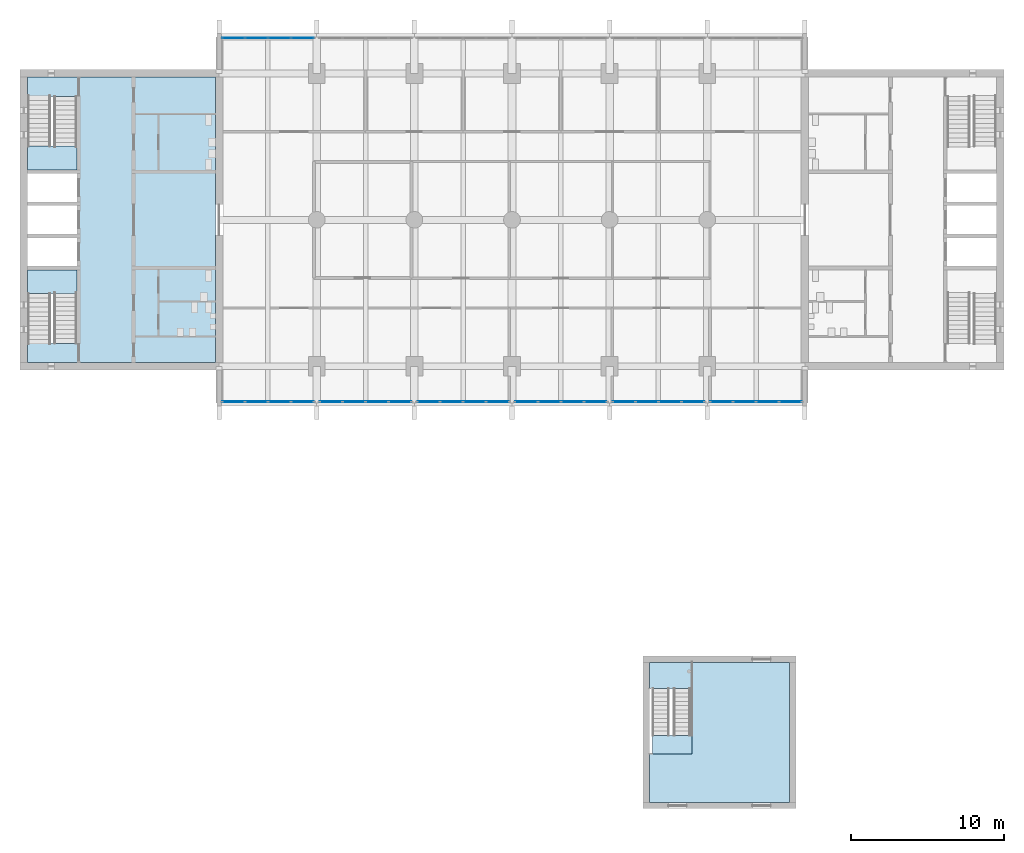
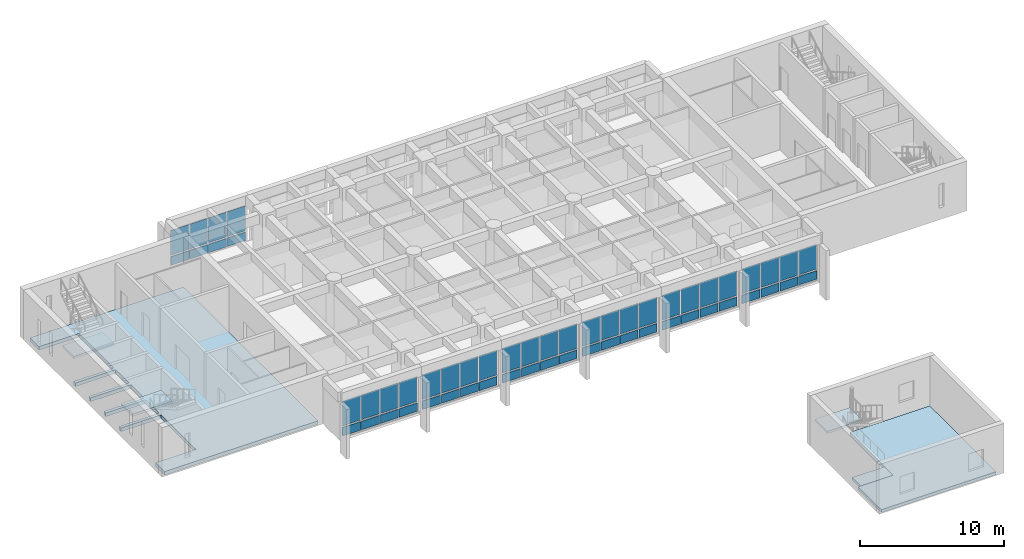
# One storey, part 7 of 18: 56 plates, 6 slabs, 10 elements without a shape of their own.
"""IFC4 building model written with IfcOpenShell, lengths in metres."""

from ifc_helpers import new_model, si_unit, direction, frame, origin, origin_2d, place, context, subcontext, project, spatial, polyline, rectangle, outline, extrude, material, layer, layer_set, type_object, element, aggregate, save


model = new_model("IFC4")

# Units and contexts
model_context = context("Model", 3, precision=1e-05, world=origin(), true_north=direction((0.0, 1.0)))
body_context = subcontext(model_context, "Body", "Model", "MODEL_VIEW")
ifc_project = project(units=[si_unit("LENGTHUNIT", "METRE"), si_unit("AREAUNIT", "SQUARE_METRE"), si_unit("VOLUMEUNIT", "CUBIC_METRE"), si_unit("PLANEANGLEUNIT", "RADIAN"), si_unit("MASSUNIT", "GRAM", prefix="KILO")], contexts=[model_context])

# Site, building, storey
site_placement = place(None, origin())
site = spatial("IfcSite", under=ifc_project, at=site_placement, CompositionType="ELEMENT")
building_placement = place(site_placement, origin())
building = spatial("IfcBuilding", under=site, at=building_placement, Name="Fogon Plaza Fire Station and Headquarters Tower", CompositionType="ELEMENT")
storey_placement = place(building_placement, frame((0.0, 0.0, 12.89990234375)))
storey = spatial("IfcBuildingStorey", under=building, at=storey_placement, Name="L03", CompositionType="ELEMENT", Elevation=12.89990234375)

# Slab
ifc_material_1 = material(Name="Concrete C40", Category="concrete")
ifc_layer_1 = layer(ifc_material_1, 0.300048828125)
ifc_layer_set_1 = layer_set([ifc_layer_1], Name="Concrete C40")
slab_type_1 = type_object("IfcSlabType", Name="Core Floor Slab RC 300", PredefinedType="FLOOR", material=ifc_layer_set_1)
slab_1_placement = place(storey_placement, frame((0.0, 0.0, -0.2998046875)))
element("IfcSlab", 1, at=slab_1_placement, inside=storey, type_object=slab_type_1, Name="Core A floor", PredefinedType="FLOOR", context=body_context, shape_type="SweptSolid", body=[
    extrude(outline(polyline([(13.050048828125, 35.110107421875), (13.050048828125, 33.85009765625), (25.35009765625, 33.85009765625), (25.35009765625, 52.550048828125), (13.050048828125, 52.550048828125), (13.050048828125, 51.2900390625), (16.27490234375, 51.2900390625), (16.27490234375, 46.47509765625), (13.050048828125, 46.47509765625), (13.050048828125, 46.22509765625), (16.27490234375, 46.22509765625), (16.27490234375, 44.375), (13.050048828125, 44.375), (13.050048828125, 44.125), (16.27490234375, 44.125), (16.27490234375, 42.27490234375), (13.050048828125, 42.27490234375), (13.050048828125, 42.02490234375), (16.27490234375, 42.02490234375), (16.27490234375, 40.175048828125), (13.050048828125, 40.175048828125), (13.050048828125, 39.925048828125), (16.27490234375, 39.925048828125), (16.27490234375, 35.110107421875), (13.050048828125, 35.110107421875)])), origin(), (0.0, 0.0, 1.0), 0.2998046875),
])

# Stair, slabs
ifc_material_2 = material(Name="Concrete C40", Category="concrete")
stair_type_1 = type_object("IfcStairType", Name="Drill Stair 1100", PredefinedType="HALF_TURN_STAIR", material=ifc_material_2)
stair_1_placement = place(storey_placement, origin())
stair_1 = element("IfcStair", 2, at=stair_1_placement, inside=storey, type_object=stair_type_1, Name="DT1", PredefinedType="HALF_TURN_STAIR")
ifc_material_3 = material(Name="Concrete C40", Category="concrete")
ifc_layer_2 = layer(ifc_material_3, 0.199951171875)
ifc_layer_set_2 = layer_set([ifc_layer_2], Name="Concrete C40")
slab_type_2 = type_object("IfcSlabType", Name="Drill Stair Landing 200", PredefinedType="LANDING", material=ifc_layer_set_2)
slab_2_placement = place(storey_placement, frame((0.0, 0.0, -0.199951171875)))
slab_2 = element("IfcSlab", 3, at=slab_2_placement, type_object=slab_type_2, Name="DT1 landing 1", PredefinedType="LANDING", context=body_context, shape_type="SweptSolid", body=[
    extrude(outline(polyline([(54.0, 8.199951171875), (56.60009765625, 8.199951171875), (56.60009765625, 9.39990234375), (54.0, 9.39990234375), (54.0, 8.199951171875)])), origin(), (0.0, 0.0, 1.0), 0.199951171875),
])
slab_3_placement = place(storey_placement, frame((0.0, 0.0, 1.900146484375)))
slab_3 = element("IfcSlab", 4, at=slab_3_placement, type_object=slab_type_2, Name="DT1 landing 2", PredefinedType="LANDING", context=body_context, shape_type="SweptSolid", body=[
    extrude(outline(polyline([(53.800048828125, 12.47998046875), (56.60009765625, 12.47998046875), (56.60009765625, 14.199951171875), (53.800048828125, 14.199951171875), (53.800048828125, 12.47998046875)])), origin(), (0.0, 0.0, 1.0), 0.199951171875),
])
aggregate(stair_1, [slab_2, slab_3])

# Slab
ifc_material_4 = material(Name="Concrete C40", Category="concrete")
ifc_layer_3 = layer(ifc_material_4, 0.25)
ifc_layer_set_3 = layer_set([ifc_layer_3], Name="Concrete C40")
slab_type_3 = type_object("IfcSlabType", Name="Floor slab 250 S25", PredefinedType="FLOOR", material=ifc_layer_set_3)
slab_4_placement = place(storey_placement, frame((0.0, 0.0, -0.25)))
element("IfcSlab", 5, at=slab_4_placement, inside=storey, type_object=slab_type_3, Name="slab-drill-L03", PredefinedType="FLOOR", context=body_context, shape_type="SweptSolid", body=[
    extrude(outline(polyline([(63.0, 14.199951171875), (63.0, 5.0), (53.800048828125, 5.0), (53.800048828125, 8.199951171875), (56.60009765625, 8.199951171875), (56.60009765625, 14.199951171875), (63.0, 14.199951171875)])), origin(), (0.0, 0.0, 1.0), 0.25),
])

# Curtain wall, plates
ifc_material_5 = material(Name="Aluminium and glass", Category="aluminium")
ifc_layer_4 = layer(ifc_material_5, 0.14990234375)
ifc_layer_set_4 = layer_set([ifc_layer_4], Name="Aluminium and glass")
curtain_wall_type = type_object("IfcCurtainWallType", Name="Unitised Curtain Wall Run 6100x3180", PredefinedType="NOTDEFINED", material=ifc_layer_set_4)
curtain_wall_1_placement = place(storey_placement, origin())
curtain_wall_1 = element("IfcCurtainWall", 6, at=curtain_wall_1_placement, inside=storey, type_object=curtain_wall_type, Name="CW-6100x3180 S1 L03", PredefinedType="NOTDEFINED")
ifc_material_6 = material(Name="Insulated aluminium spandrel", Category="aluminium")
ifc_layer_5 = layer(ifc_material_6, 0.06005859375)
ifc_layer_set_5 = layer_set([ifc_layer_5], Name="Insulated aluminium spandrel")
plate_type_1 = type_object("IfcPlateType", Name="Insulated Spandrel Panel", PredefinedType="CURTAIN_PANEL", material=ifc_layer_set_5)
plate_1_placement = place(storey_placement, frame((26.534912109375, 31.280029296875, 0.1201171875), z_axis=(0.0, 0.0, 1.0), x_axis=(1.0, 0.0, 0.0)))
plate_1 = element("IfcPlate", 7, at=plate_1_placement, type_object=plate_type_1, Name="SP1 panel 1.1", PredefinedType="CURTAIN_PANEL", context=body_context, shape_type="SweptSolid", body=[
    extrude(rectangle(XDim=1.449951171875, YDim=0.06005859375, at=origin_2d()), origin(), (0.0, 0.0, 1.0), 0.719970703125),
])
plate_2_placement = place(storey_placement, frame((28.044921875, 31.280029296875, 0.1201171875), z_axis=(0.0, 0.0, 1.0), x_axis=(1.0, 0.0, 0.0)))
plate_2 = element("IfcPlate", 8, at=plate_2_placement, type_object=plate_type_1, Name="SP1 panel 2.1", PredefinedType="CURTAIN_PANEL", context=body_context, shape_type="SweptSolid", body=[
    extrude(rectangle(XDim=1.449951171875, YDim=0.06005859375, at=origin_2d()), origin(), (0.0, 0.0, 1.0), 0.719970703125),
])
plate_3_placement = place(storey_placement, frame((29.554931640625, 31.280029296875, 0.1201171875), z_axis=(0.0, 0.0, 1.0), x_axis=(1.0, 0.0, 0.0)))
plate_3 = element("IfcPlate", 9, at=plate_3_placement, type_object=plate_type_1, Name="SP1 panel 3.1", PredefinedType="CURTAIN_PANEL", context=body_context, shape_type="SweptSolid", body=[
    extrude(rectangle(XDim=1.449951171875, YDim=0.06005859375, at=origin_2d()), origin(), (0.0, 0.0, 1.0), 0.719970703125),
])
plate_4_placement = place(storey_placement, frame((31.06494140625, 31.280029296875, 0.1201171875), z_axis=(0.0, 0.0, 1.0), x_axis=(1.0, 0.0, 0.0)))
plate_4 = element("IfcPlate", 10, at=plate_4_placement, type_object=plate_type_1, Name="SP1 panel 4.1", PredefinedType="CURTAIN_PANEL", context=body_context, shape_type="SweptSolid", body=[
    extrude(rectangle(XDim=1.449951171875, YDim=0.06005859375, at=origin_2d()), origin(), (0.0, 0.0, 1.0), 0.719970703125),
])

curtain_wall_2_placement = place(storey_placement, origin())
curtain_wall_2 = element("IfcCurtainWall", 11, at=curtain_wall_2_placement, inside=storey, type_object=curtain_wall_type, Name="CW-6100x3180 S2 L03", PredefinedType="NOTDEFINED")
plate_5_placement = place(storey_placement, frame((32.93505859375, 31.280029296875, 0.1201171875), z_axis=(0.0, 0.0, 1.0), x_axis=(1.0, 0.0, 0.0)))
plate_5 = element("IfcPlate", 12, at=plate_5_placement, type_object=plate_type_1, Name="SP1 panel 1.1", PredefinedType="CURTAIN_PANEL", context=body_context, shape_type="SweptSolid", body=[
    extrude(rectangle(XDim=1.449951171875, YDim=0.06005859375, at=origin_2d()), origin(), (0.0, 0.0, 1.0), 0.719970703125),
])
plate_6_placement = place(storey_placement, frame((34.445068359375, 31.280029296875, 0.1201171875), z_axis=(0.0, 0.0, 1.0), x_axis=(1.0, 0.0, 0.0)))
plate_6 = element("IfcPlate", 13, at=plate_6_placement, type_object=plate_type_1, Name="SP1 panel 2.1", PredefinedType="CURTAIN_PANEL", context=body_context, shape_type="SweptSolid", body=[
    extrude(rectangle(XDim=1.449951171875, YDim=0.06005859375, at=origin_2d()), origin(), (0.0, 0.0, 1.0), 0.719970703125),
])
plate_7_placement = place(storey_placement, frame((35.955078125, 31.280029296875, 0.1201171875), z_axis=(0.0, 0.0, 1.0), x_axis=(1.0, 0.0, 0.0)))
plate_7 = element("IfcPlate", 14, at=plate_7_placement, type_object=plate_type_1, Name="SP1 panel 3.1", PredefinedType="CURTAIN_PANEL", context=body_context, shape_type="SweptSolid", body=[
    extrude(rectangle(XDim=1.449951171875, YDim=0.06005859375, at=origin_2d()), origin(), (0.0, 0.0, 1.0), 0.719970703125),
])
plate_8_placement = place(storey_placement, frame((37.465087890625, 31.280029296875, 0.1201171875), z_axis=(0.0, 0.0, 1.0), x_axis=(1.0, 0.0, 0.0)))
plate_8 = element("IfcPlate", 15, at=plate_8_placement, type_object=plate_type_1, Name="SP1 panel 4.1", PredefinedType="CURTAIN_PANEL", context=body_context, shape_type="SweptSolid", body=[
    extrude(rectangle(XDim=1.449951171875, YDim=0.06005859375, at=origin_2d()), origin(), (0.0, 0.0, 1.0), 0.719970703125),
])

curtain_wall_3_placement = place(storey_placement, origin())
curtain_wall_3 = element("IfcCurtainWall", 16, at=curtain_wall_3_placement, inside=storey, type_object=curtain_wall_type, Name="CW-6100x3180 S3 L03", PredefinedType="NOTDEFINED")
plate_9_placement = place(storey_placement, frame((39.3349609375, 31.280029296875, 0.1201171875), z_axis=(0.0, 0.0, 1.0), x_axis=(1.0, 0.0, 0.0)))
plate_9 = element("IfcPlate", 17, at=plate_9_placement, type_object=plate_type_1, Name="SP1 panel 1.1", PredefinedType="CURTAIN_PANEL", context=body_context, shape_type="SweptSolid", body=[
    extrude(rectangle(XDim=1.449951171875, YDim=0.06005859375, at=origin_2d()), origin(), (0.0, 0.0, 1.0), 0.719970703125),
])
plate_10_placement = place(storey_placement, frame((40.844970703125, 31.280029296875, 0.1201171875), z_axis=(0.0, 0.0, 1.0), x_axis=(1.0, 0.0, 0.0)))
plate_10 = element("IfcPlate", 18, at=plate_10_placement, type_object=plate_type_1, Name="SP1 panel 2.1", PredefinedType="CURTAIN_PANEL", context=body_context, shape_type="SweptSolid", body=[
    extrude(rectangle(XDim=1.449951171875, YDim=0.06005859375, at=origin_2d()), origin(), (0.0, 0.0, 1.0), 0.719970703125),
])
plate_11_placement = place(storey_placement, frame((42.35498046875, 31.280029296875, 0.1201171875), z_axis=(0.0, 0.0, 1.0), x_axis=(1.0, 0.0, 0.0)))
plate_11 = element("IfcPlate", 19, at=plate_11_placement, type_object=plate_type_1, Name="SP1 panel 3.1", PredefinedType="CURTAIN_PANEL", context=body_context, shape_type="SweptSolid", body=[
    extrude(rectangle(XDim=1.449951171875, YDim=0.06005859375, at=origin_2d()), origin(), (0.0, 0.0, 1.0), 0.719970703125),
])
plate_12_placement = place(storey_placement, frame((43.864990234375, 31.280029296875, 0.1201171875), z_axis=(0.0, 0.0, 1.0), x_axis=(1.0, 0.0, 0.0)))
plate_12 = element("IfcPlate", 20, at=plate_12_placement, type_object=plate_type_1, Name="SP1 panel 4.1", PredefinedType="CURTAIN_PANEL", context=body_context, shape_type="SweptSolid", body=[
    extrude(rectangle(XDim=1.449951171875, YDim=0.06005859375, at=origin_2d()), origin(), (0.0, 0.0, 1.0), 0.719970703125),
])

curtain_wall_4_placement = place(storey_placement, origin())
curtain_wall_4 = element("IfcCurtainWall", 21, at=curtain_wall_4_placement, inside=storey, type_object=curtain_wall_type, Name="CW-6100x3180 S4 L03", PredefinedType="NOTDEFINED")
plate_13_placement = place(storey_placement, frame((45.735107421875, 31.280029296875, 0.1201171875), z_axis=(0.0, 0.0, 1.0), x_axis=(1.0, 0.0, 0.0)))
plate_13 = element("IfcPlate", 22, at=plate_13_placement, type_object=plate_type_1, Name="SP1 panel 1.1", PredefinedType="CURTAIN_PANEL", context=body_context, shape_type="SweptSolid", body=[
    extrude(rectangle(XDim=1.449951171875, YDim=0.06005859375, at=origin_2d()), origin(), (0.0, 0.0, 1.0), 0.719970703125),
])
plate_14_placement = place(storey_placement, frame((47.2451171875, 31.280029296875, 0.1201171875), z_axis=(0.0, 0.0, 1.0), x_axis=(1.0, 0.0, 0.0)))
plate_14 = element("IfcPlate", 23, at=plate_14_placement, type_object=plate_type_1, Name="SP1 panel 2.1", PredefinedType="CURTAIN_PANEL", context=body_context, shape_type="SweptSolid", body=[
    extrude(rectangle(XDim=1.449951171875, YDim=0.06005859375, at=origin_2d()), origin(), (0.0, 0.0, 1.0), 0.719970703125),
])
plate_15_placement = place(storey_placement, frame((48.7548828125, 31.280029296875, 0.1201171875), z_axis=(0.0, 0.0, 1.0), x_axis=(1.0, 0.0, 0.0)))
plate_15 = element("IfcPlate", 24, at=plate_15_placement, type_object=plate_type_1, Name="SP1 panel 3.1", PredefinedType="CURTAIN_PANEL", context=body_context, shape_type="SweptSolid", body=[
    extrude(rectangle(XDim=1.449951171875, YDim=0.06005859375, at=origin_2d()), origin(), (0.0, 0.0, 1.0), 0.719970703125),
])
plate_16_placement = place(storey_placement, frame((50.264892578125, 31.280029296875, 0.1201171875), z_axis=(0.0, 0.0, 1.0), x_axis=(1.0, 0.0, 0.0)))
plate_16 = element("IfcPlate", 25, at=plate_16_placement, type_object=plate_type_1, Name="SP1 panel 4.1", PredefinedType="CURTAIN_PANEL", context=body_context, shape_type="SweptSolid", body=[
    extrude(rectangle(XDim=1.449951171875, YDim=0.06005859375, at=origin_2d()), origin(), (0.0, 0.0, 1.0), 0.719970703125),
])

curtain_wall_5_placement = place(storey_placement, origin())
curtain_wall_5 = element("IfcCurtainWall", 26, at=curtain_wall_5_placement, inside=storey, type_object=curtain_wall_type, Name="CW-6100x3180 S5 L03", PredefinedType="NOTDEFINED")
plate_17_placement = place(storey_placement, frame((52.135009765625, 31.280029296875, 0.1201171875), z_axis=(0.0, 0.0, 1.0), x_axis=(1.0, 0.0, 0.0)))
plate_17 = element("IfcPlate", 27, at=plate_17_placement, type_object=plate_type_1, Name="SP1 panel 1.1", PredefinedType="CURTAIN_PANEL", context=body_context, shape_type="SweptSolid", body=[
    extrude(rectangle(XDim=1.449951171875, YDim=0.06005859375, at=origin_2d()), origin(), (0.0, 0.0, 1.0), 0.719970703125),
])
plate_18_placement = place(storey_placement, frame((53.64501953125, 31.280029296875, 0.1201171875), z_axis=(0.0, 0.0, 1.0), x_axis=(1.0, 0.0, 0.0)))
plate_18 = element("IfcPlate", 28, at=plate_18_placement, type_object=plate_type_1, Name="SP1 panel 2.1", PredefinedType="CURTAIN_PANEL", context=body_context, shape_type="SweptSolid", body=[
    extrude(rectangle(XDim=1.449951171875, YDim=0.06005859375, at=origin_2d()), origin(), (0.0, 0.0, 1.0), 0.719970703125),
])
plate_19_placement = place(storey_placement, frame((55.155029296875, 31.280029296875, 0.1201171875), z_axis=(0.0, 0.0, 1.0), x_axis=(1.0, 0.0, 0.0)))
plate_19 = element("IfcPlate", 29, at=plate_19_placement, type_object=plate_type_1, Name="SP1 panel 3.1", PredefinedType="CURTAIN_PANEL", context=body_context, shape_type="SweptSolid", body=[
    extrude(rectangle(XDim=1.449951171875, YDim=0.06005859375, at=origin_2d()), origin(), (0.0, 0.0, 1.0), 0.719970703125),
])
plate_20_placement = place(storey_placement, frame((56.6650390625, 31.280029296875, 0.1201171875), z_axis=(0.0, 0.0, 1.0), x_axis=(1.0, 0.0, 0.0)))
plate_20 = element("IfcPlate", 30, at=plate_20_placement, type_object=plate_type_1, Name="SP1 panel 4.1", PredefinedType="CURTAIN_PANEL", context=body_context, shape_type="SweptSolid", body=[
    extrude(rectangle(XDim=1.449951171875, YDim=0.06005859375, at=origin_2d()), origin(), (0.0, 0.0, 1.0), 0.719970703125),
])

curtain_wall_6_placement = place(storey_placement, origin())
curtain_wall_6 = element("IfcCurtainWall", 31, at=curtain_wall_6_placement, inside=storey, type_object=curtain_wall_type, Name="CW-6100x3180 S6 L03", PredefinedType="NOTDEFINED")
plate_21_placement = place(storey_placement, frame((58.534912109375, 31.280029296875, 0.1201171875), z_axis=(0.0, 0.0, 1.0), x_axis=(1.0, 0.0, 0.0)))
plate_21 = element("IfcPlate", 32, at=plate_21_placement, type_object=plate_type_1, Name="SP1 panel 1.1", PredefinedType="CURTAIN_PANEL", context=body_context, shape_type="SweptSolid", body=[
    extrude(rectangle(XDim=1.449951171875, YDim=0.06005859375, at=origin_2d()), origin(), (0.0, 0.0, 1.0), 0.719970703125),
])
plate_22_placement = place(storey_placement, frame((60.044921875, 31.280029296875, 0.1201171875), z_axis=(0.0, 0.0, 1.0), x_axis=(1.0, 0.0, 0.0)))
plate_22 = element("IfcPlate", 33, at=plate_22_placement, type_object=plate_type_1, Name="SP1 panel 2.1", PredefinedType="CURTAIN_PANEL", context=body_context, shape_type="SweptSolid", body=[
    extrude(rectangle(XDim=1.449951171875, YDim=0.06005859375, at=origin_2d()), origin(), (0.0, 0.0, 1.0), 0.719970703125),
])
plate_23_placement = place(storey_placement, frame((61.554931640625, 31.280029296875, 0.1201171875), z_axis=(0.0, 0.0, 1.0), x_axis=(1.0, 0.0, 0.0)))
plate_23 = element("IfcPlate", 34, at=plate_23_placement, type_object=plate_type_1, Name="SP1 panel 3.1", PredefinedType="CURTAIN_PANEL", context=body_context, shape_type="SweptSolid", body=[
    extrude(rectangle(XDim=1.449951171875, YDim=0.06005859375, at=origin_2d()), origin(), (0.0, 0.0, 1.0), 0.719970703125),
])
plate_24_placement = place(storey_placement, frame((63.06494140625, 31.280029296875, 0.1201171875), z_axis=(0.0, 0.0, 1.0), x_axis=(1.0, 0.0, 0.0)))
plate_24 = element("IfcPlate", 35, at=plate_24_placement, type_object=plate_type_1, Name="SP1 panel 4.1", PredefinedType="CURTAIN_PANEL", context=body_context, shape_type="SweptSolid", body=[
    extrude(rectangle(XDim=1.449951171875, YDim=0.06005859375, at=origin_2d()), origin(), (0.0, 0.0, 1.0), 0.719970703125),
])

curtain_wall_7_placement = place(storey_placement, origin())
curtain_wall_7 = element("IfcCurtainWall", 36, at=curtain_wall_7_placement, inside=storey, type_object=curtain_wall_type, Name="CW-6100x3180 N1 L03", PredefinedType="NOTDEFINED")
plate_25_placement = place(storey_placement, frame((26.534912109375, 55.1201171875, 0.1201171875), z_axis=(0.0, 0.0, 1.0), x_axis=(1.0, 0.0, 0.0)))
plate_25 = element("IfcPlate", 37, at=plate_25_placement, type_object=plate_type_1, Name="SP1 panel 1.1", PredefinedType="CURTAIN_PANEL", context=body_context, shape_type="SweptSolid", body=[
    extrude(rectangle(XDim=1.449951171875, YDim=0.06005859375, at=origin_2d()), origin(), (0.0, 0.0, 1.0), 0.719970703125),
])
plate_26_placement = place(storey_placement, frame((28.044921875, 55.1201171875, 0.1201171875), z_axis=(0.0, 0.0, 1.0), x_axis=(1.0, 0.0, 0.0)))
plate_26 = element("IfcPlate", 38, at=plate_26_placement, type_object=plate_type_1, Name="SP1 panel 2.1", PredefinedType="CURTAIN_PANEL", context=body_context, shape_type="SweptSolid", body=[
    extrude(rectangle(XDim=1.449951171875, YDim=0.06005859375, at=origin_2d()), origin(), (0.0, 0.0, 1.0), 0.719970703125),
])
plate_27_placement = place(storey_placement, frame((29.554931640625, 55.1201171875, 0.1201171875), z_axis=(0.0, 0.0, 1.0), x_axis=(1.0, 0.0, 0.0)))
plate_27 = element("IfcPlate", 39, at=plate_27_placement, type_object=plate_type_1, Name="SP1 panel 3.1", PredefinedType="CURTAIN_PANEL", context=body_context, shape_type="SweptSolid", body=[
    extrude(rectangle(XDim=1.449951171875, YDim=0.06005859375, at=origin_2d()), origin(), (0.0, 0.0, 1.0), 0.719970703125),
])
plate_28_placement = place(storey_placement, frame((31.06494140625, 55.1201171875, 0.1201171875), z_axis=(0.0, 0.0, 1.0), x_axis=(1.0, 0.0, 0.0)))
plate_28 = element("IfcPlate", 40, at=plate_28_placement, type_object=plate_type_1, Name="SP1 panel 4.1", PredefinedType="CURTAIN_PANEL", context=body_context, shape_type="SweptSolid", body=[
    extrude(rectangle(XDim=1.449951171875, YDim=0.06005859375, at=origin_2d()), origin(), (0.0, 0.0, 1.0), 0.719970703125),
])

# Stair, slab
ifc_material_7 = material(Name="Concrete C40", Category="concrete")
stair_type_2 = type_object("IfcStairType", Name="Exit Stair Two Flights", PredefinedType="TWO_STRAIGHT_RUN_STAIR", material=ifc_material_7)
stair_2_placement = place(storey_placement, origin())
stair_2 = element("IfcStair", 41, at=stair_2_placement, inside=storey, type_object=stair_type_2, Name="Stair ST1", PredefinedType="TWO_STRAIGHT_RUN_STAIR")
ifc_material_8 = material(Name="Concrete C40", Category="concrete")
ifc_layer_6 = layer(ifc_material_8, 0.300048828125)
ifc_layer_set_6 = layer_set([ifc_layer_6], Name="Concrete C40")
slab_type_4 = type_object("IfcSlabType", Name="Stair Landing RC 300", PredefinedType="LANDING", material=ifc_layer_set_6)
slab_5_placement = place(storey_placement, frame((0.0, 0.0, 1.900146484375)))
slab_5 = element("IfcSlab", 42, at=slab_5_placement, type_object=slab_type_4, Name="ST1 landing L05", PredefinedType="LANDING", context=body_context, shape_type="SweptSolid", body=[
    extrude(outline(polyline([(16.27490234375, 38.375), (16.27490234375, 39.925048828125), (13.050048828125, 39.925048828125), (13.050048828125, 38.375), (16.27490234375, 38.375)])), origin(), (0.0, 0.0, 1.0), 0.199951171875),
])
aggregate(stair_2, [slab_5])

stair_3_placement = place(storey_placement, origin())
stair_3 = element("IfcStair", 43, at=stair_3_placement, inside=storey, type_object=stair_type_2, Name="Stair ST2", PredefinedType="TWO_STRAIGHT_RUN_STAIR")
slab_6_placement = place(storey_placement, frame((0.0, 0.0, 1.900146484375)))
slab_6 = element("IfcSlab", 44, at=slab_6_placement, type_object=slab_type_4, Name="ST2 landing L05", PredefinedType="LANDING", context=body_context, shape_type="SweptSolid", body=[
    extrude(outline(polyline([(16.27490234375, 46.47509765625), (16.27490234375, 48.02490234375), (13.050048828125, 48.02490234375), (13.050048828125, 46.47509765625), (16.27490234375, 46.47509765625)])), origin(), (0.0, 0.0, 1.0), 0.199951171875),
])
aggregate(stair_3, [slab_6])

# Plate
ifc_material_9 = material(Name="Low-e double glazing", Category="glass")
ifc_layer_7 = layer(ifc_material_9, 0.028076171875)
ifc_layer_set_7 = layer_set([ifc_layer_7], Name="Low-e double glazing")
plate_type_2 = type_object("IfcPlateType", Name="Vision Glass Panel 1450x2100", PredefinedType="CURTAIN_PANEL", material=ifc_layer_set_7)
plate_29_placement = place(storey_placement, frame((26.534912109375, 31.280029296875, 0.9599609375), z_axis=(0.0, 0.0, 1.0), x_axis=(1.0, 0.0, 0.0)))
plate_29 = element("IfcPlate", 45, at=plate_29_placement, type_object=plate_type_2, Name="VG-1450x2100 panel 1.2", PredefinedType="CURTAIN_PANEL", context=body_context, shape_type="SweptSolid", body=[
    extrude(rectangle(XDim=1.449951171875, YDim=0.028076171875, at=origin_2d()), origin(), (0.0, 0.0, 1.0), 2.10009765625),
])

plate_30_placement = place(storey_placement, frame((28.044921875, 31.280029296875, 0.9599609375), z_axis=(0.0, 0.0, 1.0), x_axis=(1.0, 0.0, 0.0)))
plate_30 = element("IfcPlate", 46, at=plate_30_placement, type_object=plate_type_2, Name="VG-1450x2100 panel 2.2", PredefinedType="CURTAIN_PANEL", context=body_context, shape_type="SweptSolid", body=[
    extrude(rectangle(XDim=1.449951171875, YDim=0.028076171875, at=origin_2d()), origin(), (0.0, 0.0, 1.0), 2.10009765625),
])

plate_31_placement = place(storey_placement, frame((29.554931640625, 31.280029296875, 0.9599609375), z_axis=(0.0, 0.0, 1.0), x_axis=(1.0, 0.0, 0.0)))
plate_31 = element("IfcPlate", 47, at=plate_31_placement, type_object=plate_type_2, Name="VG-1450x2100 panel 3.2", PredefinedType="CURTAIN_PANEL", context=body_context, shape_type="SweptSolid", body=[
    extrude(rectangle(XDim=1.449951171875, YDim=0.028076171875, at=origin_2d()), origin(), (0.0, 0.0, 1.0), 2.10009765625),
])

plate_32_placement = place(storey_placement, frame((31.06494140625, 31.280029296875, 0.9599609375), z_axis=(0.0, 0.0, 1.0), x_axis=(1.0, 0.0, 0.0)))
plate_32 = element("IfcPlate", 48, at=plate_32_placement, type_object=plate_type_2, Name="VG-1450x2100 panel 4.2", PredefinedType="CURTAIN_PANEL", context=body_context, shape_type="SweptSolid", body=[
    extrude(rectangle(XDim=1.449951171875, YDim=0.028076171875, at=origin_2d()), origin(), (0.0, 0.0, 1.0), 2.10009765625),
])

aggregate(curtain_wall_1, [plate_1, plate_29, plate_2, plate_30, plate_3, plate_31, plate_4, plate_32])

plate_33_placement = place(storey_placement, frame((32.93505859375, 31.280029296875, 0.9599609375), z_axis=(0.0, 0.0, 1.0), x_axis=(1.0, 0.0, 0.0)))
plate_33 = element("IfcPlate", 49, at=plate_33_placement, type_object=plate_type_2, Name="VG-1450x2100 panel 1.2", PredefinedType="CURTAIN_PANEL", context=body_context, shape_type="SweptSolid", body=[
    extrude(rectangle(XDim=1.449951171875, YDim=0.028076171875, at=origin_2d()), origin(), (0.0, 0.0, 1.0), 2.10009765625),
])

plate_34_placement = place(storey_placement, frame((34.445068359375, 31.280029296875, 0.9599609375), z_axis=(0.0, 0.0, 1.0), x_axis=(1.0, 0.0, 0.0)))
plate_34 = element("IfcPlate", 50, at=plate_34_placement, type_object=plate_type_2, Name="VG-1450x2100 panel 2.2", PredefinedType="CURTAIN_PANEL", context=body_context, shape_type="SweptSolid", body=[
    extrude(rectangle(XDim=1.449951171875, YDim=0.028076171875, at=origin_2d()), origin(), (0.0, 0.0, 1.0), 2.10009765625),
])

plate_35_placement = place(storey_placement, frame((35.955078125, 31.280029296875, 0.9599609375), z_axis=(0.0, 0.0, 1.0), x_axis=(1.0, 0.0, 0.0)))
plate_35 = element("IfcPlate", 51, at=plate_35_placement, type_object=plate_type_2, Name="VG-1450x2100 panel 3.2", PredefinedType="CURTAIN_PANEL", context=body_context, shape_type="SweptSolid", body=[
    extrude(rectangle(XDim=1.449951171875, YDim=0.028076171875, at=origin_2d()), origin(), (0.0, 0.0, 1.0), 2.10009765625),
])

plate_36_placement = place(storey_placement, frame((37.465087890625, 31.280029296875, 0.9599609375), z_axis=(0.0, 0.0, 1.0), x_axis=(1.0, 0.0, 0.0)))
plate_36 = element("IfcPlate", 52, at=plate_36_placement, type_object=plate_type_2, Name="VG-1450x2100 panel 4.2", PredefinedType="CURTAIN_PANEL", context=body_context, shape_type="SweptSolid", body=[
    extrude(rectangle(XDim=1.449951171875, YDim=0.028076171875, at=origin_2d()), origin(), (0.0, 0.0, 1.0), 2.10009765625),
])

aggregate(curtain_wall_2, [plate_5, plate_33, plate_6, plate_34, plate_7, plate_35, plate_8, plate_36])

plate_37_placement = place(storey_placement, frame((39.3349609375, 31.280029296875, 0.9599609375), z_axis=(0.0, 0.0, 1.0), x_axis=(1.0, 0.0, 0.0)))
plate_37 = element("IfcPlate", 53, at=plate_37_placement, type_object=plate_type_2, Name="VG-1450x2100 panel 1.2", PredefinedType="CURTAIN_PANEL", context=body_context, shape_type="SweptSolid", body=[
    extrude(rectangle(XDim=1.449951171875, YDim=0.028076171875, at=origin_2d()), origin(), (0.0, 0.0, 1.0), 2.10009765625),
])

plate_38_placement = place(storey_placement, frame((40.844970703125, 31.280029296875, 0.9599609375), z_axis=(0.0, 0.0, 1.0), x_axis=(1.0, 0.0, 0.0)))
plate_38 = element("IfcPlate", 54, at=plate_38_placement, type_object=plate_type_2, Name="VG-1450x2100 panel 2.2", PredefinedType="CURTAIN_PANEL", context=body_context, shape_type="SweptSolid", body=[
    extrude(rectangle(XDim=1.449951171875, YDim=0.028076171875, at=origin_2d()), origin(), (0.0, 0.0, 1.0), 2.10009765625),
])

plate_39_placement = place(storey_placement, frame((42.35498046875, 31.280029296875, 0.9599609375), z_axis=(0.0, 0.0, 1.0), x_axis=(1.0, 0.0, 0.0)))
plate_39 = element("IfcPlate", 55, at=plate_39_placement, type_object=plate_type_2, Name="VG-1450x2100 panel 3.2", PredefinedType="CURTAIN_PANEL", context=body_context, shape_type="SweptSolid", body=[
    extrude(rectangle(XDim=1.449951171875, YDim=0.028076171875, at=origin_2d()), origin(), (0.0, 0.0, 1.0), 2.10009765625),
])

plate_40_placement = place(storey_placement, frame((43.864990234375, 31.280029296875, 0.9599609375), z_axis=(0.0, 0.0, 1.0), x_axis=(1.0, 0.0, 0.0)))
plate_40 = element("IfcPlate", 56, at=plate_40_placement, type_object=plate_type_2, Name="VG-1450x2100 panel 4.2", PredefinedType="CURTAIN_PANEL", context=body_context, shape_type="SweptSolid", body=[
    extrude(rectangle(XDim=1.449951171875, YDim=0.028076171875, at=origin_2d()), origin(), (0.0, 0.0, 1.0), 2.10009765625),
])

aggregate(curtain_wall_3, [plate_9, plate_37, plate_10, plate_38, plate_11, plate_39, plate_12, plate_40])

plate_41_placement = place(storey_placement, frame((45.735107421875, 31.280029296875, 0.9599609375), z_axis=(0.0, 0.0, 1.0), x_axis=(1.0, 0.0, 0.0)))
plate_41 = element("IfcPlate", 57, at=plate_41_placement, type_object=plate_type_2, Name="VG-1450x2100 panel 1.2", PredefinedType="CURTAIN_PANEL", context=body_context, shape_type="SweptSolid", body=[
    extrude(rectangle(XDim=1.449951171875, YDim=0.028076171875, at=origin_2d()), origin(), (0.0, 0.0, 1.0), 2.10009765625),
])

plate_42_placement = place(storey_placement, frame((47.2451171875, 31.280029296875, 0.9599609375), z_axis=(0.0, 0.0, 1.0), x_axis=(1.0, 0.0, 0.0)))
plate_42 = element("IfcPlate", 58, at=plate_42_placement, type_object=plate_type_2, Name="VG-1450x2100 panel 2.2", PredefinedType="CURTAIN_PANEL", context=body_context, shape_type="SweptSolid", body=[
    extrude(rectangle(XDim=1.449951171875, YDim=0.028076171875, at=origin_2d()), origin(), (0.0, 0.0, 1.0), 2.10009765625),
])

plate_43_placement = place(storey_placement, frame((48.7548828125, 31.280029296875, 0.9599609375), z_axis=(0.0, 0.0, 1.0), x_axis=(1.0, 0.0, 0.0)))
plate_43 = element("IfcPlate", 59, at=plate_43_placement, type_object=plate_type_2, Name="VG-1450x2100 panel 3.2", PredefinedType="CURTAIN_PANEL", context=body_context, shape_type="SweptSolid", body=[
    extrude(rectangle(XDim=1.449951171875, YDim=0.028076171875, at=origin_2d()), origin(), (0.0, 0.0, 1.0), 2.10009765625),
])

plate_44_placement = place(storey_placement, frame((50.264892578125, 31.280029296875, 0.9599609375), z_axis=(0.0, 0.0, 1.0), x_axis=(1.0, 0.0, 0.0)))
plate_44 = element("IfcPlate", 60, at=plate_44_placement, type_object=plate_type_2, Name="VG-1450x2100 panel 4.2", PredefinedType="CURTAIN_PANEL", context=body_context, shape_type="SweptSolid", body=[
    extrude(rectangle(XDim=1.449951171875, YDim=0.028076171875, at=origin_2d()), origin(), (0.0, 0.0, 1.0), 2.10009765625),
])

aggregate(curtain_wall_4, [plate_13, plate_41, plate_14, plate_42, plate_15, plate_43, plate_16, plate_44])

plate_45_placement = place(storey_placement, frame((52.135009765625, 31.280029296875, 0.9599609375), z_axis=(0.0, 0.0, 1.0), x_axis=(1.0, 0.0, 0.0)))
plate_45 = element("IfcPlate", 61, at=plate_45_placement, type_object=plate_type_2, Name="VG-1450x2100 panel 1.2", PredefinedType="CURTAIN_PANEL", context=body_context, shape_type="SweptSolid", body=[
    extrude(rectangle(XDim=1.449951171875, YDim=0.028076171875, at=origin_2d()), origin(), (0.0, 0.0, 1.0), 2.10009765625),
])

plate_46_placement = place(storey_placement, frame((53.64501953125, 31.280029296875, 0.9599609375), z_axis=(0.0, 0.0, 1.0), x_axis=(1.0, 0.0, 0.0)))
plate_46 = element("IfcPlate", 62, at=plate_46_placement, type_object=plate_type_2, Name="VG-1450x2100 panel 2.2", PredefinedType="CURTAIN_PANEL", context=body_context, shape_type="SweptSolid", body=[
    extrude(rectangle(XDim=1.449951171875, YDim=0.028076171875, at=origin_2d()), origin(), (0.0, 0.0, 1.0), 2.10009765625),
])

plate_47_placement = place(storey_placement, frame((55.155029296875, 31.280029296875, 0.9599609375), z_axis=(0.0, 0.0, 1.0), x_axis=(1.0, 0.0, 0.0)))
plate_47 = element("IfcPlate", 63, at=plate_47_placement, type_object=plate_type_2, Name="VG-1450x2100 panel 3.2", PredefinedType="CURTAIN_PANEL", context=body_context, shape_type="SweptSolid", body=[
    extrude(rectangle(XDim=1.449951171875, YDim=0.028076171875, at=origin_2d()), origin(), (0.0, 0.0, 1.0), 2.10009765625),
])

plate_48_placement = place(storey_placement, frame((56.6650390625, 31.280029296875, 0.9599609375), z_axis=(0.0, 0.0, 1.0), x_axis=(1.0, 0.0, 0.0)))
plate_48 = element("IfcPlate", 64, at=plate_48_placement, type_object=plate_type_2, Name="VG-1450x2100 panel 4.2", PredefinedType="CURTAIN_PANEL", context=body_context, shape_type="SweptSolid", body=[
    extrude(rectangle(XDim=1.449951171875, YDim=0.028076171875, at=origin_2d()), origin(), (0.0, 0.0, 1.0), 2.10009765625),
])

aggregate(curtain_wall_5, [plate_17, plate_45, plate_18, plate_46, plate_19, plate_47, plate_20, plate_48])

plate_49_placement = place(storey_placement, frame((58.534912109375, 31.280029296875, 0.9599609375), z_axis=(0.0, 0.0, 1.0), x_axis=(1.0, 0.0, 0.0)))
plate_49 = element("IfcPlate", 65, at=plate_49_placement, type_object=plate_type_2, Name="VG-1450x2100 panel 1.2", PredefinedType="CURTAIN_PANEL", context=body_context, shape_type="SweptSolid", body=[
    extrude(rectangle(XDim=1.449951171875, YDim=0.028076171875, at=origin_2d()), origin(), (0.0, 0.0, 1.0), 2.10009765625),
])

plate_50_placement = place(storey_placement, frame((60.044921875, 31.280029296875, 0.9599609375), z_axis=(0.0, 0.0, 1.0), x_axis=(1.0, 0.0, 0.0)))
plate_50 = element("IfcPlate", 66, at=plate_50_placement, type_object=plate_type_2, Name="VG-1450x2100 panel 2.2", PredefinedType="CURTAIN_PANEL", context=body_context, shape_type="SweptSolid", body=[
    extrude(rectangle(XDim=1.449951171875, YDim=0.028076171875, at=origin_2d()), origin(), (0.0, 0.0, 1.0), 2.10009765625),
])

plate_51_placement = place(storey_placement, frame((61.554931640625, 31.280029296875, 0.9599609375), z_axis=(0.0, 0.0, 1.0), x_axis=(1.0, 0.0, 0.0)))
plate_51 = element("IfcPlate", 67, at=plate_51_placement, type_object=plate_type_2, Name="VG-1450x2100 panel 3.2", PredefinedType="CURTAIN_PANEL", context=body_context, shape_type="SweptSolid", body=[
    extrude(rectangle(XDim=1.449951171875, YDim=0.028076171875, at=origin_2d()), origin(), (0.0, 0.0, 1.0), 2.10009765625),
])

plate_52_placement = place(storey_placement, frame((63.06494140625, 31.280029296875, 0.9599609375), z_axis=(0.0, 0.0, 1.0), x_axis=(1.0, 0.0, 0.0)))
plate_52 = element("IfcPlate", 68, at=plate_52_placement, type_object=plate_type_2, Name="VG-1450x2100 panel 4.2", PredefinedType="CURTAIN_PANEL", context=body_context, shape_type="SweptSolid", body=[
    extrude(rectangle(XDim=1.449951171875, YDim=0.028076171875, at=origin_2d()), origin(), (0.0, 0.0, 1.0), 2.10009765625),
])

aggregate(curtain_wall_6, [plate_21, plate_49, plate_22, plate_50, plate_23, plate_51, plate_24, plate_52])

plate_53_placement = place(storey_placement, frame((26.534912109375, 55.1201171875, 0.9599609375), z_axis=(0.0, 0.0, 1.0), x_axis=(1.0, 0.0, 0.0)))
plate_53 = element("IfcPlate", 69, at=plate_53_placement, type_object=plate_type_2, Name="VG-1450x2100 panel 1.2", PredefinedType="CURTAIN_PANEL", context=body_context, shape_type="SweptSolid", body=[
    extrude(rectangle(XDim=1.449951171875, YDim=0.028076171875, at=origin_2d()), origin(), (0.0, 0.0, 1.0), 2.10009765625),
])

plate_54_placement = place(storey_placement, frame((28.044921875, 55.1201171875, 0.9599609375), z_axis=(0.0, 0.0, 1.0), x_axis=(1.0, 0.0, 0.0)))
plate_54 = element("IfcPlate", 70, at=plate_54_placement, type_object=plate_type_2, Name="VG-1450x2100 panel 2.2", PredefinedType="CURTAIN_PANEL", context=body_context, shape_type="SweptSolid", body=[
    extrude(rectangle(XDim=1.449951171875, YDim=0.028076171875, at=origin_2d()), origin(), (0.0, 0.0, 1.0), 2.10009765625),
])

plate_55_placement = place(storey_placement, frame((29.554931640625, 55.1201171875, 0.9599609375), z_axis=(0.0, 0.0, 1.0), x_axis=(1.0, 0.0, 0.0)))
plate_55 = element("IfcPlate", 71, at=plate_55_placement, type_object=plate_type_2, Name="VG-1450x2100 panel 3.2", PredefinedType="CURTAIN_PANEL", context=body_context, shape_type="SweptSolid", body=[
    extrude(rectangle(XDim=1.449951171875, YDim=0.028076171875, at=origin_2d()), origin(), (0.0, 0.0, 1.0), 2.10009765625),
])

plate_56_placement = place(storey_placement, frame((31.06494140625, 55.1201171875, 0.9599609375), z_axis=(0.0, 0.0, 1.0), x_axis=(1.0, 0.0, 0.0)))
plate_56 = element("IfcPlate", 72, at=plate_56_placement, type_object=plate_type_2, Name="VG-1450x2100 panel 4.2", PredefinedType="CURTAIN_PANEL", context=body_context, shape_type="SweptSolid", body=[
    extrude(rectangle(XDim=1.449951171875, YDim=0.028076171875, at=origin_2d()), origin(), (0.0, 0.0, 1.0), 2.10009765625),
])

aggregate(curtain_wall_7, [plate_25, plate_53, plate_26, plate_54, plate_27, plate_55, plate_28, plate_56])

save(model, "model.ifc")
